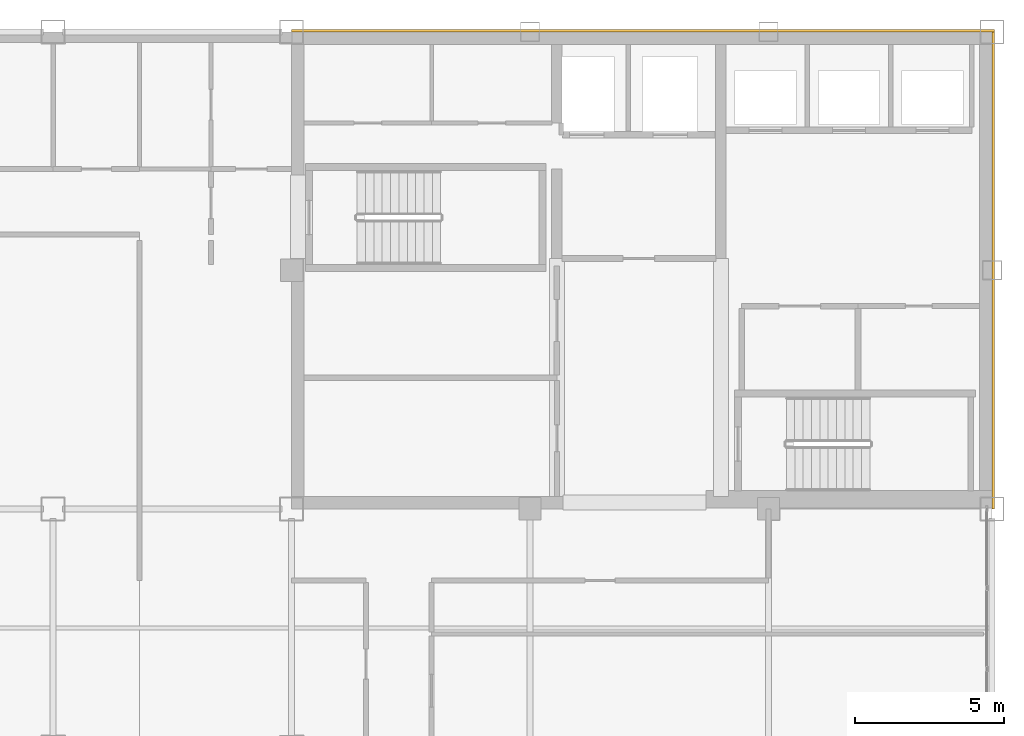
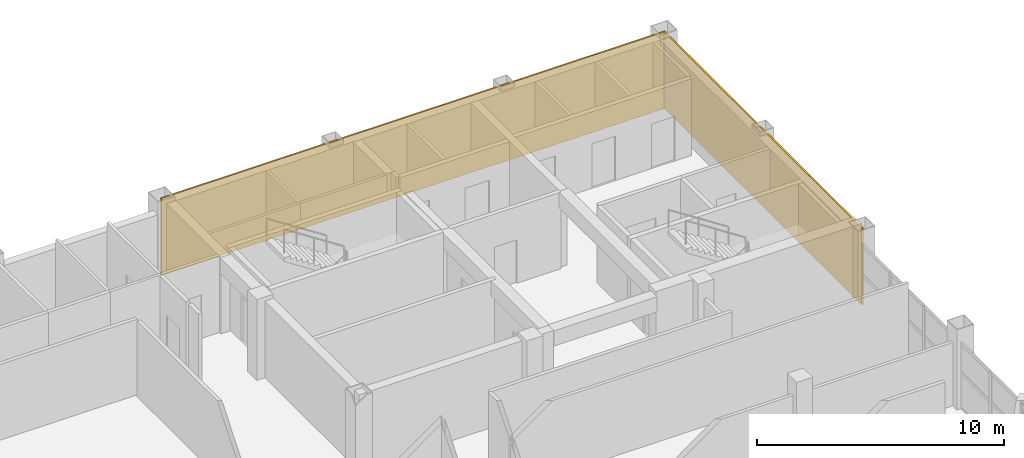
# One storey, part 13 of 13: 2 coverings.
"""IFC4 building model written with IfcOpenShell, lengths in metres."""

from ifc_helpers import new_model, si_unit, direction, frame, origin, origin_2d, place, context, subcontext, project, spatial, rectangle, extrude, material, layer, layer_set, type_object, element, save


model = new_model("IFC4")

# Units and contexts
model_context = context("Model", 3, precision=1e-05, world=origin(), true_north=direction((0.0, 1.0)))
body_context = subcontext(model_context, "Body", "Model", "MODEL_VIEW")
ifc_project = project(units=[si_unit("LENGTHUNIT", "METRE"), si_unit("AREAUNIT", "SQUARE_METRE"), si_unit("VOLUMEUNIT", "CUBIC_METRE"), si_unit("PLANEANGLEUNIT", "RADIAN"), si_unit("MASSUNIT", "GRAM", prefix="KILO")], contexts=[model_context])

# Site, building, storey
site_placement = place(None, origin())
site = spatial("IfcSite", under=ifc_project, at=site_placement, CompositionType="ELEMENT")
building_placement = place(site_placement, origin())
building = spatial("IfcBuilding", under=site, at=building_placement, Name="Qianrong Seaharbour Tower", CompositionType="ELEMENT")
storey_placement = place(building_placement, frame((0.0, 0.0, 299.199951171875)))
storey = spatial("IfcBuildingStorey", under=building, at=storey_placement, Name="L72", CompositionType="ELEMENT", Elevation=299.199951171875)

# Coverings
ifc_material = material(Name="Unitised red brick cladding on Precast concrete C45/55", Category="masonry")
ifc_layer = layer(ifc_material, 0.080078125)
ifc_layer_set = layer_set([ifc_layer], Name="Unitised red brick cladding on Precast concrete C45/55")
covering_type = type_object("IfcCoveringType", Name="COV-CLAD-RED-BRICK-80", PredefinedType="CLADDING", material=ifc_layer_set)
covering_1_placement = place(storey_placement, frame((52.2900390625, 52.0400390625, 0.0), z_axis=(0.0, 0.0, 1.0), x_axis=(1.0, 0.0, 0.0)))
element("IfcCovering", 1, at=covering_1_placement, inside=storey, type_object=covering_type, Name="L72 North Core Brick Veneer Cladding", PredefinedType="CLADDING", context=body_context, shape_type="SweptSolid", body=[
    extrude(rectangle(XDim=23.580078125, YDim=0.080078125, at=origin_2d()), origin(), (0.0, 0.0, 1.0), 3.784912109375),
])
covering_2_placement = place(storey_placement, frame((64.0400390625, 44.0, 0.0), z_axis=(0.0, 0.0, 1.0), x_axis=(1.0, 0.0, 0.0)))
element("IfcCovering", 2, at=covering_2_placement, inside=storey, type_object=covering_type, Name="L72 East Core Brick Veneer Cladding", PredefinedType="CLADDING", context=body_context, shape_type="SweptSolid", body=[
    extrude(rectangle(XDim=0.080078125, YDim=16.0, at=origin_2d()), origin(), (0.0, 0.0, 1.0), 3.784912109375),
])

save(model, "model.ifc")
